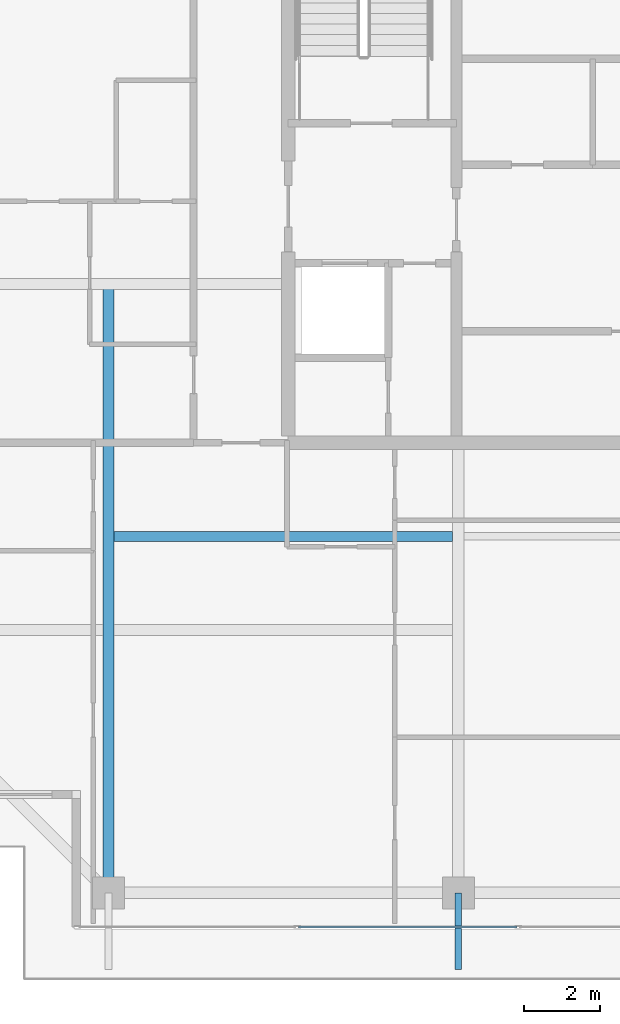
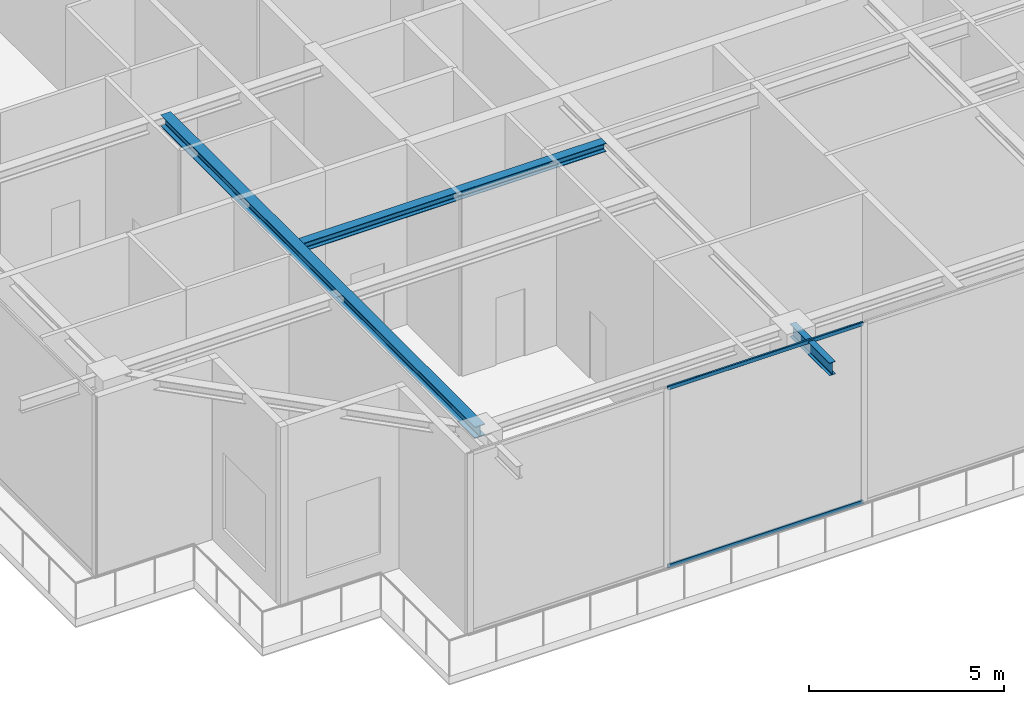
# One storey, part 5 of 40: 3 beams, 2 members, 1 element without a shape of its own.
"""IFC4 building model written with IfcOpenShell, lengths in metres."""

from ifc_helpers import new_model, si_unit, direction, frame, origin, origin_2d, place, context, subcontext, project, spatial, hollow_rectangle, i_section, extrude, source, transform, mapped, material, layer, layer_set, material_profile, profile_set, type_object, element, aggregate, save


model = new_model("IFC4")

# Units and contexts
model_context = context("Model", 3, precision=1e-05, world=origin(), true_north=direction((0.0, 1.0)))
body_context = subcontext(model_context, "Body", "Model", "MODEL_VIEW")
ifc_project = project(units=[si_unit("LENGTHUNIT", "METRE"), si_unit("AREAUNIT", "SQUARE_METRE"), si_unit("VOLUMEUNIT", "CUBIC_METRE"), si_unit("PLANEANGLEUNIT", "RADIAN"), si_unit("MASSUNIT", "GRAM", prefix="KILO")], contexts=[model_context])

# Site, building, storey
site_placement = place(None, origin())
site = spatial("IfcSite", under=ifc_project, at=site_placement, CompositionType="ELEMENT")
building_placement = place(site_placement, origin())
building = spatial("IfcBuilding", under=site, at=building_placement, Name="Serunith Strait Residences", CompositionType="ELEMENT")
storey_placement = place(building_placement, frame((0.0, 0.0, 347.949951171875)))
storey = spatial("IfcBuildingStorey", under=building, at=storey_placement, Name="L86", CompositionType="ELEMENT", Elevation=347.949951171875)

# Beams
ifc_material_1 = material(Name="Steel S355J2", Category="steel")
ifc_material_profile_1 = material_profile(ifc_material_1, i_section(OverallWidth=0.300048828125, OverallDepth=0.360107421875, WebThickness=0.012451171875, FlangeThickness=0.0224609375, FilletRadius=0.027099609375, at=origin_2d()), Name="HEB 360")
ifc_profile_set_1 = profile_set([ifc_material_profile_1], Name="Steel S355J2")
beam_type_1 = type_object("IfcBeamType", Name="BM-HEB360", PredefinedType="BEAM", material=ifc_profile_set_1)
shared_shape_1 = source(origin(), body_context, "Body", "SweptSolid", [
    extrude(i_section(OverallWidth=0.300048828125, OverallDepth=0.360107421875, WebThickness=0.012451171875, FlangeThickness=0.0224609375, FilletRadius=0.027099609375, at=origin_2d()), origin(), (0.0, 0.0, 1.0), 16.10009765625),
])
beam_1_placement = place(storey_placement, frame((18.64990234375, 21.0, 5.45703125), z_axis=(0.0, -1.0, 0.0), x_axis=(1.0, 0.0, 0.0)))
element("IfcBeam", 1, at=beam_1_placement, inside=storey, type_object=beam_type_1, Name="L86 Orthogonal Corner Girder TC-S1", PredefinedType="BEAM", context=body_context, shape_type="MappedRepresentation", body=[
    mapped(shared_shape_1, transform((0.0, 0.0, 0.0), scale=1.0)),
])
ifc_material_profile_2 = material_profile(ifc_material_1, i_section(OverallWidth=0.260009765625, OverallDepth=0.260009765625, WebThickness=0.010009765625, FlangeThickness=0.017578125, FilletRadius=0.02392578125, at=origin_2d()), Name="HEB 260")
ifc_profile_set_2 = profile_set([ifc_material_profile_2], Name="Steel S355J2")
beam_type_2 = type_object("IfcBeamType", Name="BM-HEB260", PredefinedType="JOIST", material=ifc_profile_set_2)
shared_shape_2 = source(origin(), body_context, "Body", "SweptSolid", [
    extrude(i_section(OverallWidth=0.260009765625, OverallDepth=0.260009765625, WebThickness=0.010009765625, FlangeThickness=0.017578125, FilletRadius=0.02392578125, at=origin_2d()), origin(), (0.0, 0.0, 1.0), 8.949951171875),
])
beam_2_placement = place(storey_placement, frame((18.800048828125, 14.324951171875, 5.507080078125), z_axis=(1.0, 0.0, 0.0), x_axis=(0.0, 1.0, 0.0)))
element("IfcBeam", 2, at=beam_2_placement, inside=storey, type_object=beam_type_2, Name="L86 Composite Floor Joist 01", PredefinedType="JOIST", context=body_context, shape_type="MappedRepresentation", body=[
    mapped(shared_shape_2, transform((0.0, 0.0, 0.0), scale=1.0)),
])
ifc_material_profile_3 = material_profile(ifc_material_1, i_section(OverallWidth=0.179931640625, OverallDepth=0.39990234375, WebThickness=0.008544921875, FlangeThickness=0.013427734375, FilletRadius=0.02099609375, at=origin_2d()), Name="IPE 400")
ifc_profile_set_3 = profile_set([ifc_material_profile_3], Name="Steel S355J2")
beam_type_3 = type_object("IfcBeamType", Name="BM-IPE400", PredefinedType="JOIST", material=ifc_profile_set_3)
shared_shape_3 = source(origin(), body_context, "Body", "SweptSolid", [
    extrude(i_section(OverallWidth=0.179931640625, OverallDepth=0.39990234375, WebThickness=0.008544921875, FlangeThickness=0.013427734375, FilletRadius=0.02099609375, at=origin_2d()), origin(), (0.0, 0.0, 1.0), 2.02978515625),
])
beam_3_placement = place(storey_placement, frame((27.89990234375, 4.89990234375, 5.406982421875), z_axis=(0.0, -1.0, 0.0), x_axis=(1.0, 0.0, 0.0)))
element("IfcBeam", 3, at=beam_3_placement, inside=storey, type_object=beam_type_3, Name="L87 Cantilevered Balcony Rib TC-S2", PredefinedType="JOIST", context=body_context, shape_type="MappedRepresentation", body=[
    mapped(shared_shape_3, transform((0.0, 0.0, 0.0), scale=1.0)),
])

# Curtain wall, members
ifc_material_2 = material(Name="Brushed Stainless-Silver Aluminium", Category="aluminium")
ifc_layer = layer(ifc_material_2, 0.199951171875, Name="Brushed Stainless-Silver Aluminium")
ifc_layer_set = layer_set([ifc_layer], Name="Brushed Stainless-Silver Aluminium")
curtain_wall_type = type_object("IfcCurtainWallType", Name="CW-SYS5", PredefinedType="NOTDEFINED", material=ifc_layer_set)
curtain_wall_placement = place(storey_placement, origin())
curtain_wall = element("IfcCurtainWall", 4, at=curtain_wall_placement, inside=storey, type_object=curtain_wall_type, Name="L86 S Unitised Fritted Curtain Wall", PredefinedType="NOTDEFINED")
ifc_material_profile_4 = material_profile(ifc_material_2, hollow_rectangle(XDim=0.06005859375, YDim=0.1201171875, WallThickness=0.00341796875, InnerFilletRadius=0.00537109375, OuterFilletRadius=0.0087890625, at=origin_2d()), Name="ALU 120x60x3.5")
ifc_profile_set_4 = profile_set([ifc_material_profile_4], Name="Brushed Stainless-Silver Aluminium")
member_type = type_object("IfcMemberType", Name="CW-SYS5-TRAN", PredefinedType="USERDEFINED", material=ifc_profile_set_4)
shared_shape_4 = source(origin(), body_context, "Body", "SweptSolid", [
    extrude(hollow_rectangle(XDim=0.06005859375, YDim=0.1201171875, WallThickness=0.00341796875, InnerFilletRadius=0.00537109375, OuterFilletRadius=0.0087890625, at=origin_2d()), origin(), (0.0, 0.0, 1.0), 5.77490234375),
])
member_1_placement = place(storey_placement, frame((23.672607421875, 4.0, 0.030029296875), z_axis=(1.0, 0.0, 0.0), x_axis=(0.0, 1.0, 0.0)))
member_1 = element("IfcMember", 5, at=member_1_placement, type_object=member_type, Name="CW-5 transom 2.1", ObjectType="TRANSOM", PredefinedType="USERDEFINED", context=body_context, shape_type="MappedRepresentation", body=[
    mapped(shared_shape_4, transform((0.0, 0.0, 0.0), scale=1.0)),
])
member_2_placement = place(storey_placement, frame((23.672607421875, 4.0, 5.594970703125), z_axis=(1.0, 0.0, 0.0), x_axis=(0.0, 1.0, 0.0)))
member_2 = element("IfcMember", 6, at=member_2_placement, type_object=member_type, Name="CW-5 transom 2.2", ObjectType="TRANSOM", PredefinedType="USERDEFINED", context=body_context, shape_type="MappedRepresentation", body=[
    mapped(shared_shape_4, transform((0.0, 0.0, 0.0), scale=1.0)),
])
aggregate(curtain_wall, [member_1, member_2])

save(model, "model.ifc")
